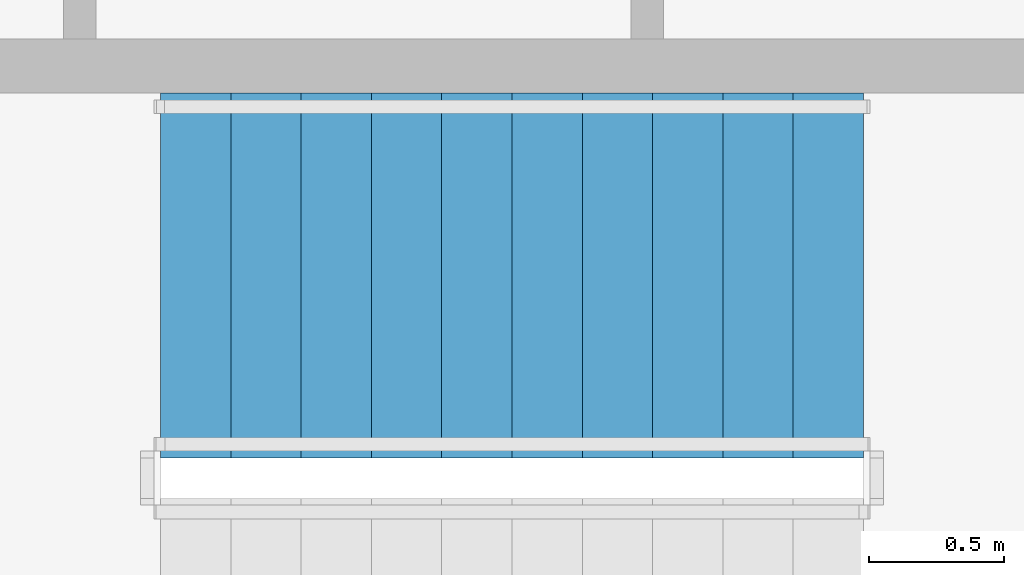
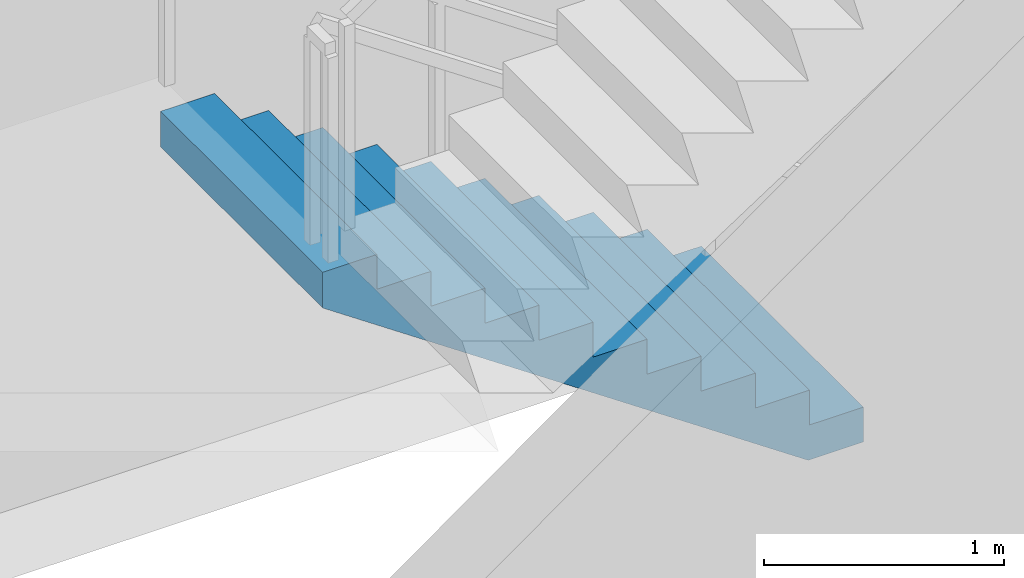
# One storey, part 7 of 10: 1 stair flight, 1 element without a shape of its own.
"""IFC4 building model written with IfcOpenShell, lengths in metres."""

from ifc_helpers import new_model, si_unit, direction, frame, origin, place, context, subcontext, project, spatial, polyline, outline, extrude, material, type_object, element, aggregate, save


model = new_model("IFC4")

# Units and contexts
model_context = context("Model", 3, precision=1e-05, world=origin(), true_north=direction((0.0, 1.0)))
body_context = subcontext(model_context, "Body", "Model", "MODEL_VIEW")
ifc_project = project(units=[si_unit("LENGTHUNIT", "METRE"), si_unit("AREAUNIT", "SQUARE_METRE"), si_unit("VOLUMEUNIT", "CUBIC_METRE"), si_unit("PLANEANGLEUNIT", "RADIAN"), si_unit("MASSUNIT", "GRAM", prefix="KILO")], contexts=[model_context])

# Site, building, storey
site_placement = place(None, origin())
site = spatial("IfcSite", under=ifc_project, at=site_placement, CompositionType="ELEMENT")
building_placement = place(site_placement, origin())
building = spatial("IfcBuilding", under=site, at=building_placement, Name="Khepri Terraces", CompositionType="ELEMENT")
storey_placement = place(building_placement, frame((0.0, 0.0, 300.60009765625)))
storey = spatial("IfcBuildingStorey", under=building, at=storey_placement, Name="L72", CompositionType="ELEMENT", Elevation=300.60009765625)

# Stair, stair flight
ifc_material = material(Name="Concrete C40/50", Category="concrete")
stair_type = type_object("IfcStairType", Name="STAIR-RC-22R", PredefinedType="HALF_TURN_STAIR", material=ifc_material)
stair_placement = place(storey_placement, origin())
stair = element("IfcStair", 1, at=stair_placement, inside=storey, type_object=stair_type, Name="L72 Exit Stair ST-3", PredefinedType="HALF_TURN_STAIR")
stair_flight_type = type_object("IfcStairFlightType", Name="SFL-RC-177.3", PredefinedType="STRAIGHT", material=ifc_material)
stair_flight_placement = place(storey_placement, frame((-0.25, 9.425048828125, 0.0), z_axis=(0.0, 0.0, 1.0), x_axis=(-1.0, 0.0, 0.0)))
stair_flight = element("IfcStairFlight", 2, at=stair_flight_placement, type_object=stair_flight_type, Name="ST-3 flight 1", NumberOfRisers=11, NumberOfTreads=10, PredefinedType="STRAIGHT", RiserHeight=0.177272727, TreadLength=0.26, context=body_context, shape_type="SweptSolid", body=[
    extrude(outline(polyline([(0.0, 0.0), (0.0, 0.17724609375), (0.260009765625, 0.17724609375), (0.260009765625, 0.3544921875), (0.52001953125, 0.3544921875), (0.52001953125, 0.53173828125), (0.780029296875, 0.53173828125), (0.780029296875, 0.708984375), (1.0400390625, 0.708984375), (1.0400390625, 0.886474609375), (1.300048828125, 0.886474609375), (1.300048828125, 1.063720703125), (1.56005859375, 1.063720703125), (1.56005859375, 1.240966796875), (1.820068359375, 1.240966796875), (1.820068359375, 1.418212890625), (2.080078125, 1.418212890625), (2.080078125, 1.595458984375), (2.340087890625, 1.595458984375), (2.340087890625, 1.772705078125), (2.60009765625, 1.772705078125), (2.60009765625, 1.949951171875), (2.60009765625, 1.59130859375), (0.26611328125, 0.0), (0.0, 0.0)])), frame((0.0, 0.675048828125, 0.0), z_axis=(0.0, -1.0, 0.0), x_axis=(1.0, 0.0, 0.0)), (0.0, 0.0, 1.0), 1.35009765625),
])
aggregate(stair, [stair_flight])

save(model, "model.ifc")
